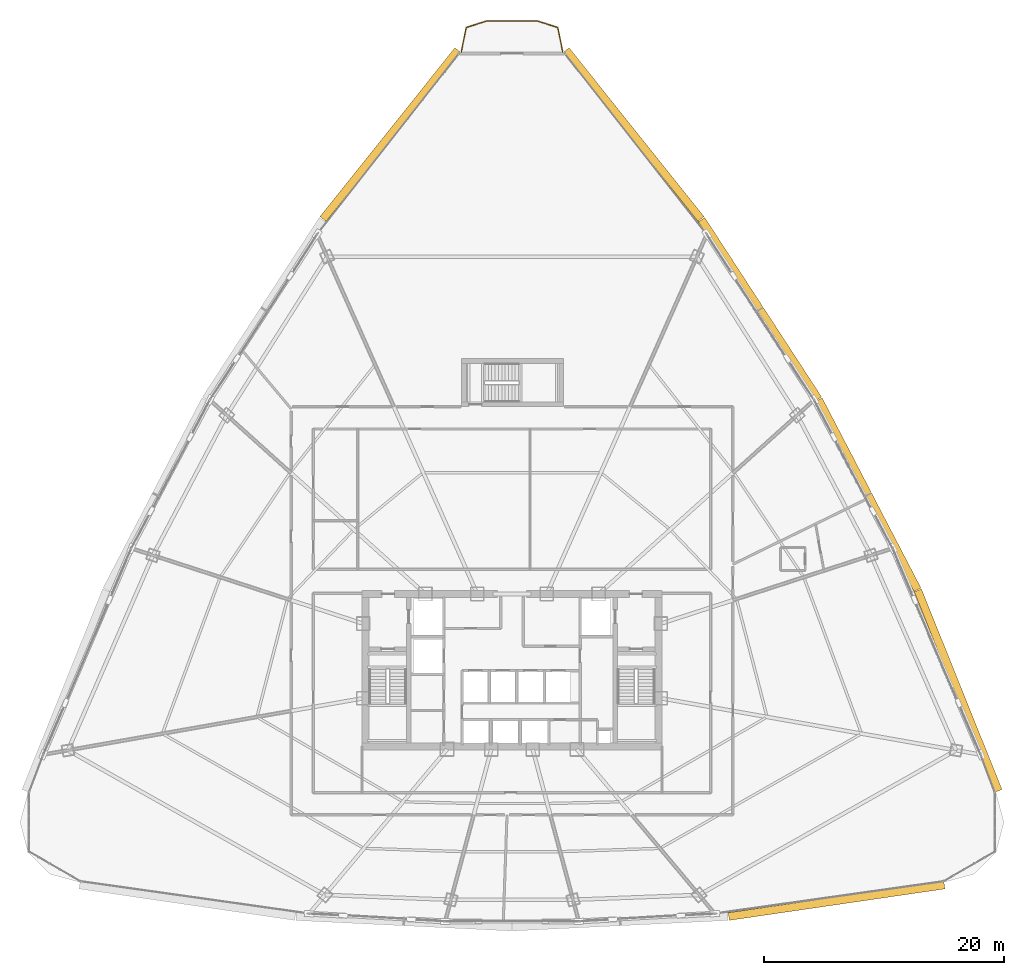
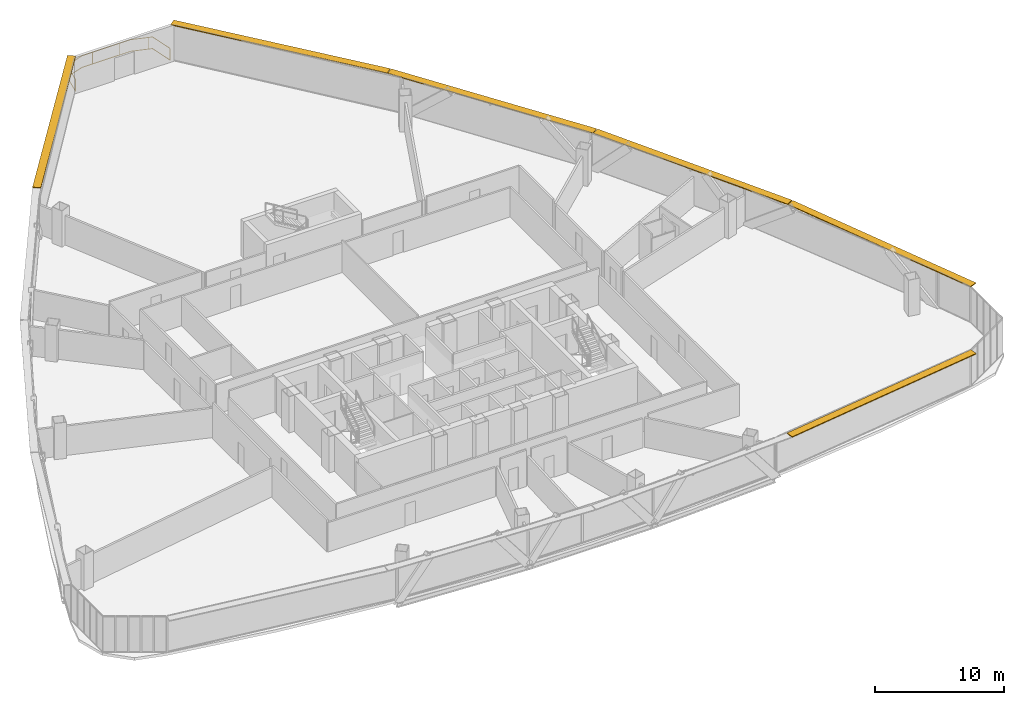
# One storey, part 42 of 42: 6 shading devices, 1 railing.
"""IFC4 building model written with IfcOpenShell, lengths in metres."""

import ifcopenshell
import ifcopenshell.guid

model = None  # the IFC model being written
_history = None  # IfcOwnerHistory: only IFC2X3 demands one
_inside = {}  # id of a spatial element -> (the spatial element, [elements in it])
_under = {}  # id of a project, library or spatial element -> (it, [spatial elements below it])
_declared = {}  # id of a project -> (the project, [libraries it declares])
_typed = {}  # id of a type object -> (the type object, [elements of that type])
_made_of = {}  # id of a material, layer set ... -> (it, [elements and type objects made of it])


def new_model(schema):
    """Start an empty IFC model of exactly this schema.

    Asked for "IFC4X3", IfcOpenShell would pick the latest addendum, in which some entities
    have other attributes; the version numbers below select the first issue.
    IFC2X3 requires an IfcOwnerHistory on every rooted entity: one is made here for all.
    """
    global model, _history
    if schema == "IFC4X3":
        model = ifcopenshell.file(schema_version=(4, 3, 0, 0))
    else:
        model = ifcopenshell.file(schema=schema)
    _inside.clear()
    _under.clear()
    _declared.clear()
    _typed.clear()
    _made_of.clear()
    _history = None
    if model.schema == "IFC2X3":
        org = make("IfcOrganization", Name="unknown")
        user = make(
            "IfcPersonAndOrganization",
            ThePerson=make("IfcPerson", FamilyName="unknown"),
            TheOrganization=org,
        )
        app = make(
            "IfcApplication",
            ApplicationDeveloper=org,
            Version="unknown",
            ApplicationFullName="unknown",
            ApplicationIdentifier="unknown",
        )
        _history = make(
            "IfcOwnerHistory",
            OwningUser=user,
            OwningApplication=app,
            ChangeAction="ADDED",
            CreationDate=0,
        )
    return model


def make(cls, **values):
    """One entity of the class cls with the attributes given. An attribute that is None is left unset."""
    return model.create_entity(
        cls, **{name: value for name, value in values.items() if value is not None}
    )


def rooted(cls, **values):
    """An entity with a GlobalId (a new one), such as an element, a storey or a relation."""
    return make(cls, GlobalId=ifcopenshell.guid.new(), OwnerHistory=_history, **values)


def si_unit(unit_type, name, prefix=None):
    """IfcSIUnit, for example si_unit("LENGTHUNIT", "METRE", prefix="MILLI")."""
    return make("IfcSIUnit", UnitType=unit_type, Prefix=prefix, Name=name)


def assignment(units):
    """IfcUnitAssignment: the units of a project."""
    return None if units is None else make("IfcUnitAssignment", Units=units)


def point(xyz):
    """IfcCartesianPoint."""
    return None if xyz is None else make("IfcCartesianPoint", Coordinates=xyz)


def direction(xyz):
    """IfcDirection."""
    return None if xyz is None else make("IfcDirection", DirectionRatios=xyz)


def frame(location, z_axis=None, x_axis=None):
    """IfcAxis2Placement3D, a coordinate frame: its origin and axes. An axis left out is left unset."""
    return make(
        "IfcAxis2Placement3D",
        Location=point(location),
        Axis=direction(z_axis),
        RefDirection=direction(x_axis),
    )


def frame_2d(location, x_axis=None):
    """IfcAxis2Placement2D, a coordinate frame in the plane: its origin and x axis."""
    return make(
        "IfcAxis2Placement2D", Location=point(location), RefDirection=direction(x_axis)
    )


def origin():
    """The frame at (0, 0, 0) with its axes left unset."""
    return frame((0.0, 0.0, 0.0))


def origin_2d():
    """The frame at (0, 0) in the plane with its x axis left unset."""
    return frame_2d((0.0, 0.0))


def place(relative_to, where):
    """IfcLocalPlacement: puts the frame where relative to a parent placement (None: the world)."""
    return make(
        "IfcLocalPlacement", PlacementRelTo=relative_to, RelativePlacement=where
    )


def context(
    kind, dimensions, precision=None, world=None, true_north=None, identifier=None
):
    """IfcGeometricRepresentationContext, for example the 3D "Model" context."""
    return make(
        "IfcGeometricRepresentationContext",
        ContextIdentifier=identifier,
        ContextType=kind,
        CoordinateSpaceDimension=dimensions,
        Precision=precision,
        WorldCoordinateSystem=world,
        TrueNorth=true_north,
    )


def subcontext(parent, identifier, kind, view, scale=None):
    """IfcGeometricRepresentationSubContext, for example "Body" below "Model"."""
    return make(
        "IfcGeometricRepresentationSubContext",
        ContextIdentifier=identifier,
        ContextType=kind,
        ParentContext=parent,
        TargetScale=scale,
        TargetView=view,
    )


def project(units=None, contexts=None):
    """IfcProject with its units and contexts."""
    return rooted(
        "IfcProject",
        Name="project",
        RepresentationContexts=contexts,
        UnitsInContext=assignment(units),
    )


def spatial(cls, under=None, at=None, **own):
    """A site, building, storey or space (cls), placed at a placement, below another one or the project."""
    s = rooted(cls, ObjectPlacement=at, **own)
    if under is not None:
        _under.setdefault(under.id(), (under, []))[1].append(s)
    return s


def profile(cls, at=None, kind="AREA", **sizes):
    """A parametric profile (cls). Its sizes go by their IFC names, for example OverallWidth=200.0."""
    return make(cls, ProfileType=kind, Position=at, **sizes)


def rectangle(**sizes):
    """IfcRectangleProfileDef."""
    return profile("IfcRectangleProfileDef", **sizes)


def extrude(swept, where, along, depth):
    """IfcExtrudedAreaSolid: the profile swept, set in the frame where, extruded along a direction by depth."""
    return make(
        "IfcExtrudedAreaSolid",
        SweptArea=swept,
        Position=where,
        ExtrudedDirection=direction(along),
        Depth=depth,
    )


def shape(context_of_items, identifier, shape_type, items):
    """IfcShapeRepresentation: the items that make up one representation, for example the "Body"."""
    return make(
        "IfcShapeRepresentation",
        ContextOfItems=context_of_items,
        RepresentationIdentifier=identifier,
        RepresentationType=shape_type,
        Items=items,
    )


def source(mapping_origin, context_of_items, identifier, shape_type, items):
    """IfcRepresentationMap: a shape defined once, which mapped items show again and again."""
    return make(
        "IfcRepresentationMap",
        MappingOrigin=mapping_origin,
        MappedRepresentation=shape(context_of_items, identifier, shape_type, items),
    )


def transform(
    local_origin,
    x_axis=None,
    y_axis=None,
    z_axis=None,
    scale=None,
    scale2=None,
    scale3=None,
    uniform=True,
):
    """IfcCartesianTransformationOperator3D, or its non-uniform kind. x_axis, y_axis, z_axis: its Axis1, 2, 3."""
    if uniform:
        return make(
            "IfcCartesianTransformationOperator3D",
            Axis1=direction(x_axis),
            Axis2=direction(y_axis),
            LocalOrigin=point(local_origin),
            Scale=scale,
            Axis3=direction(z_axis),
        )
    return make(
        "IfcCartesianTransformationOperator3DnonUniform",
        Axis1=direction(x_axis),
        Axis2=direction(y_axis),
        LocalOrigin=point(local_origin),
        Scale=scale,
        Axis3=direction(z_axis),
        Scale2=scale2,
        Scale3=scale3,
    )


def mapped(mapping_source, mapping_target):
    """IfcMappedItem: shows the shape of a source again, moved by a transform."""
    return make(
        "IfcMappedItem", MappingSource=mapping_source, MappingTarget=mapping_target
    )


def material(Name=None, Category=None):
    """IfcMaterial."""
    return make("IfcMaterial", Name=Name, Category=Category)


def layer(
    of_material, thickness, ventilated=None, Name=None, Category=None, Priority=None
):
    """IfcMaterialLayer: one layer of a wall or slab, of a material (None: an air gap)."""
    return make(
        "IfcMaterialLayer",
        Material=of_material,
        LayerThickness=thickness,
        IsVentilated=ventilated,
        Name=Name,
        Category=Category,
        Priority=Priority,
    )


def layer_set(layers, Name=None):
    """IfcMaterialLayerSet."""
    return make("IfcMaterialLayerSet", MaterialLayers=layers, LayerSetName=Name)


def made_of(thing, what):
    """Note that an element or type object is made of a material, layer set ...; save() writes the relation."""
    if what is not None:
        _made_of.setdefault(what.id(), (what, []))[1].append(thing)
    return thing


def type_object(cls, material=None, **own):
    """A type object (cls), such as IfcWallType, which elements share."""
    return made_of(rooted(cls, **own), material)


def element(
    cls,
    number,
    at=None,
    inside=None,
    cuts=None,
    type_object=None,
    material=None,
    context=None,
    identifier="Body",
    shape_type=None,
    held_by="IfcProductDefinitionShape",
    body=None,
    shapes=None,
    **own,
):
    """One element of the class cls, such as IfcWall. Its Tag is "e" and its number.

    at: its placement. inside: the storey or other place that contains it. cuts: it is an
    opening in that element (IfcRelVoidsElement). A single representation is given by context,
    identifier, shape_type and body (its items); several are given by shapes. held_by: the class
    of the entity that holds the representations. save() writes the other relations.
    """
    e = rooted(cls, Tag="e%d" % number, ObjectPlacement=at, **own)
    if body is not None:
        shapes = [shape(context, identifier, shape_type, body)]
    if shapes is not None:
        e.Representation = make(held_by, Representations=shapes)
    if inside is not None:
        _inside.setdefault(inside.id(), (inside, []))[1].append(e)
    if cuts is not None:
        rooted(
            "IfcRelVoidsElement", RelatingBuildingElement=cuts, RelatedOpeningElement=e
        )
    if type_object is not None:
        _typed.setdefault(type_object.id(), (type_object, []))[1].append(e)
    return made_of(e, material)


def aggregate(whole, parts):
    """IfcRelAggregates: a whole, such as a stair, and the parts it consists of."""
    return rooted("IfcRelAggregates", RelatingObject=whole, RelatedObjects=parts)


def save(model, path):
    """Write the relations noted so far, then the file.

    IfcRelAggregates (storeys below a building ...), IfcRelContainedInSpatialStructure (elements
    in a storey), IfcRelDefinesByType, IfcRelAssociatesMaterial and IfcRelDeclares: one each for
    every whole, place, type object, material and project.
    """
    for whole, parts in _under.values():
        aggregate(whole, parts)
    for where, things in _inside.values():
        rooted(
            "IfcRelContainedInSpatialStructure",
            RelatedElements=things,
            RelatingStructure=where,
        )
    for kind, things in _typed.values():
        rooted("IfcRelDefinesByType", RelatedObjects=things, RelatingType=kind)
    for what, things in _made_of.values():
        rooted("IfcRelAssociatesMaterial", RelatedObjects=things, RelatingMaterial=what)
    for by, libraries in _declared.values():
        rooted("IfcRelDeclares", RelatingContext=by, RelatedDefinitions=libraries)
    model.write(path)


model = new_model("IFC4")

# Units and contexts
model_context = context("Model", 3, precision=1e-05, world=origin(), true_north=direction((0.0, 1.0)))
body_context = subcontext(model_context, "Body", "Model", "MODEL_VIEW")
ifc_project = project(units=[si_unit("LENGTHUNIT", "METRE"), si_unit("AREAUNIT", "SQUARE_METRE"), si_unit("VOLUMEUNIT", "CUBIC_METRE"), si_unit("PLANEANGLEUNIT", "RADIAN"), si_unit("MASSUNIT", "GRAM", prefix="KILO"), si_unit("THERMODYNAMICTEMPERATUREUNIT", "KELVIN"), si_unit("POWERUNIT", "WATT")], contexts=[model_context])

# Site, building, storey
site_placement = place(None, origin())
site = spatial("IfcSite", under=ifc_project, at=site_placement, CompositionType="ELEMENT")
building_placement = place(site_placement, origin())
building = spatial("IfcBuilding", under=site, at=building_placement, Name="Yunzhuo Pagoda Commons", CompositionType="ELEMENT")
storey_placement = place(building_placement, frame((0.0, 0.0, 129.830078125)))
storey = spatial("IfcBuildingStorey", under=building, at=storey_placement, Name="L32", CompositionType="ELEMENT", Elevation=129.830078125)

# Railing
ifc_material = material(Name="Anodized aluminium 6063-T6", Category="aluminium")
railing_type = type_object("IfcRailingType", Name="RL-BAL1 Exterior Terrace & Balcony Balustrade 1150", PredefinedType="BALUSTRADE", material=ifc_material)
railing_placement = place(storey_placement, frame((52.22119140625, 85.37353515625, 0.0)))
element("IfcRailing", 1, at=railing_placement, inside=storey, type_object=railing_type, Name="L32 corner balcony balustrade V3", PredefinedType="BALUSTRADE", context=body_context, shape_type="SweptSolid", body=[
    extrude(rectangle(XDim=0.048095703125, YDim=0.048095703125, at=origin_2d()), frame((0.0, 0.0, 1.1259765625), z_axis=(-0.194200568098, 0.980961843983, 0.0), x_axis=(-0.980961843983, -0.194200568098, 0.0)), (0.0, 0.0, 1.0), 2.059326171875),
    extrude(rectangle(XDim=0.048095703125, YDim=0.048095703125, at=origin_2d()), frame((0.0, 0.0, 0.02392578125), z_axis=(-0.194200568098, 0.980961843983, 0.0), x_axis=(-0.980961843983, -0.194200568098, 0.0)), (0.0, 0.0, 1.0), 2.059326171875),
    extrude(rectangle(XDim=0.048095703125, YDim=0.048095703125, at=origin_2d()), frame((-0.39990234375, 2.02001953125, 1.1259765625), z_axis=(-0.953179725889, 0.302404381836, 0.0), x_axis=(-0.302404381836, -0.953179725889, 0.0)), (0.0, 0.0, 1.0), 1.752685546875),
    extrude(rectangle(XDim=0.048095703125, YDim=0.048095703125, at=origin_2d()), frame((-0.39990234375, 2.02001953125, 0.02392578125), z_axis=(-0.953179725889, 0.302404381836, 0.0), x_axis=(-0.302404381836, -0.953179725889, 0.0)), (0.0, 0.0, 1.0), 1.752685546875),
    extrude(rectangle(XDim=0.048095703125, YDim=0.048095703125, at=origin_2d()), frame((-2.070556640625, 2.550048828125, 1.1259765625), z_axis=(-1.0, 0.0, 0.0), x_axis=(0.0, -1.0, 0.0)), (0.0, 0.0, 1.0), 4.30126953125),
    extrude(rectangle(XDim=0.048095703125, YDim=0.048095703125, at=origin_2d()), frame((-2.070556640625, 2.550048828125, 0.02392578125), z_axis=(-1.0, 0.0, 0.0), x_axis=(0.0, -1.0, 0.0)), (0.0, 0.0, 1.0), 4.30126953125),
    extrude(rectangle(XDim=0.048095703125, YDim=0.048095703125, at=origin_2d()), frame((-6.371826171875, 2.550048828125, 1.1259765625), z_axis=(-0.953179725889, -0.302404381836, 0.0), x_axis=(0.302404381836, -0.953179725889, 0.0)), (0.0, 0.0, 1.0), 1.752685546875),
    extrude(rectangle(XDim=0.048095703125, YDim=0.048095703125, at=origin_2d()), frame((-6.371826171875, 2.550048828125, 0.02392578125), z_axis=(-0.953179725889, -0.302404381836, 0.0), x_axis=(0.302404381836, -0.953179725889, 0.0)), (0.0, 0.0, 1.0), 1.752685546875),
    extrude(rectangle(XDim=0.048095703125, YDim=0.048095703125, at=origin_2d()), frame((-8.04248046875, 2.02001953125, 1.1259765625), z_axis=(-0.194200568098, -0.980961843983, 0.0), x_axis=(0.980961843983, -0.194200568098, 0.0)), (0.0, 0.0, 1.0), 2.059326171875),
    extrude(rectangle(XDim=0.048095703125, YDim=0.048095703125, at=origin_2d()), frame((-8.04248046875, 2.02001953125, 0.02392578125), z_axis=(-0.194200568098, -0.980961843983, 0.0), x_axis=(0.980961843983, -0.194200568098, 0.0)), (0.0, 0.0, 1.0), 2.059326171875),
    extrude(rectangle(XDim=0.0419921875, YDim=0.0419921875, at=origin_2d()), origin(), (0.0, 0.0, 1.0), 1.101806640625),
    extrude(rectangle(XDim=0.0419921875, YDim=0.0419921875, at=origin_2d()), frame((-0.724609375, 2.123046875, 0.0)), (0.0, 0.0, 1.0), 1.101806640625),
    extrude(rectangle(XDim=0.0419921875, YDim=0.0419921875, at=origin_2d()), frame((-3.05859375, 2.550048828125, 0.0)), (0.0, 0.0, 1.0), 1.101806640625),
    extrude(rectangle(XDim=0.0419921875, YDim=0.0419921875, at=origin_2d()), frame((-5.45849609375, 2.550048828125, 0.0)), (0.0, 0.0, 1.0), 1.101806640625),
    extrude(rectangle(XDim=0.0419921875, YDim=0.0419921875, at=origin_2d()), frame((-7.7890625, 2.100341796875, 0.0)), (0.0, 0.0, 1.0), 1.101806640625),
    extrude(rectangle(XDim=0.0419921875, YDim=0.0419921875, at=origin_2d()), frame((-8.4423828125, 0.0, 0.0)), (0.0, 0.0, 1.0), 1.101806640625),
])

# Shading devices
ifc_layer = layer(ifc_material, 0.080078125)
ifc_layer_set = layer_set([ifc_layer], Name="Anodized aluminium 6063-T6")
shading_device_type = type_object("IfcShadingDeviceType", Name="SH-SUN1 Pagoda Horizontal Sunshade Eave 650", PredefinedType="USERDEFINED", material=ifc_layer_set)
shared_shape_1 = source(origin(), body_context, "Body", "SweptSolid", [
    extrude(rectangle(XDim=18.156982421875, YDim=0.64990234375, at=origin_2d()), origin(), (0.0, 0.0, 1.0), 0.080078125),
])
shading_device_placement = place(storey_placement, frame((75.043701171875, 14.6376953125, 3.33984375), z_axis=(0.0, 0.0, 1.0), x_axis=(0.989510666697, 0.144459823108, 0.0)))
element("IfcShadingDevice", 2, at=shading_device_placement, inside=storey, type_object=shading_device_type, Name="L32 horizontal pagoda sunshade eave F1.4", ObjectType="SUNSHADE", PredefinedType="USERDEFINED", context=body_context, shape_type="MappedRepresentation", body=[
    mapped(shared_shape_1, transform((0.0, 0.0, 0.0), scale=1.0)),
])
shared_shape_2 = source(origin(), body_context, "Body", "SweptSolid", [
    extrude(rectangle(XDim=18.010986328125, YDim=0.64990234375, at=origin_2d()), origin(), (0.0, 0.0, 1.0), 0.080078125),
])
for number, where, z_axis, x_axis, name in (
    (3, (85.169677734375, 32.144775390625, 3.33984375), (0.0, 0.0, 1.0), (-0.372987782576, 0.927836253899, 0.0), "L32 horizontal pagoda sunshade eave F2.1"),
    (4, (58.125244140625, 78.474365234375, 3.33984375), (0.0, 0.0, 1.0), (-0.624520471688, 0.781008438138, 0.0), "L32 horizontal pagoda sunshade eave F2.4"),
    (5, (37.874755859375, 78.474365234375, 3.33984375), (0.0, 0.0, 1.0), (-0.624520471688, -0.781008438138, 0.0), "L32 horizontal pagoda sunshade eave F3.1"),
):
    element("IfcShadingDevice", number, at=place(storey_placement, frame(where, z_axis=z_axis, x_axis=x_axis)), inside=storey, type_object=shading_device_type, Name=name, ObjectType="SUNSHADE", PredefinedType="USERDEFINED", context=body_context, shape_type="MappedRepresentation", body=[
        mapped(shared_shape_2, transform((0.0, 0.0, 0.0), scale=1.0)),
    ])
shared_shape_3 = source(origin(), body_context, "Body", "SweptSolid", [
    extrude(rectangle(XDim=17.840087890625, YDim=0.64990234375, at=origin_2d()), origin(), (0.0, 0.0, 1.0), 0.080078125),
])
for number, where, z_axis, x_axis, name in (
    (6, (77.67041015625, 48.472412109375, 3.33984375), (0.0, 0.0, 1.0), (-0.461206683033, 0.88729273384, 0.0), "L32 horizontal pagoda sunshade eave F2.2"),
    (7, (68.655517578125, 63.915771484375, 3.33984375), (0.0, 0.0, 1.0), (-0.545838756973, 0.837890238269, 0.0), "L32 horizontal pagoda sunshade eave F2.3"),
):
    element("IfcShadingDevice", number, at=place(storey_placement, frame(where, z_axis=z_axis, x_axis=x_axis)), inside=storey, type_object=shading_device_type, Name=name, ObjectType="SUNSHADE", PredefinedType="USERDEFINED", context=body_context, shape_type="MappedRepresentation", body=[
        mapped(shared_shape_3, transform((0.0, 0.0, 0.0), scale=1.0)),
    ])

save(model, "model.ifc")
